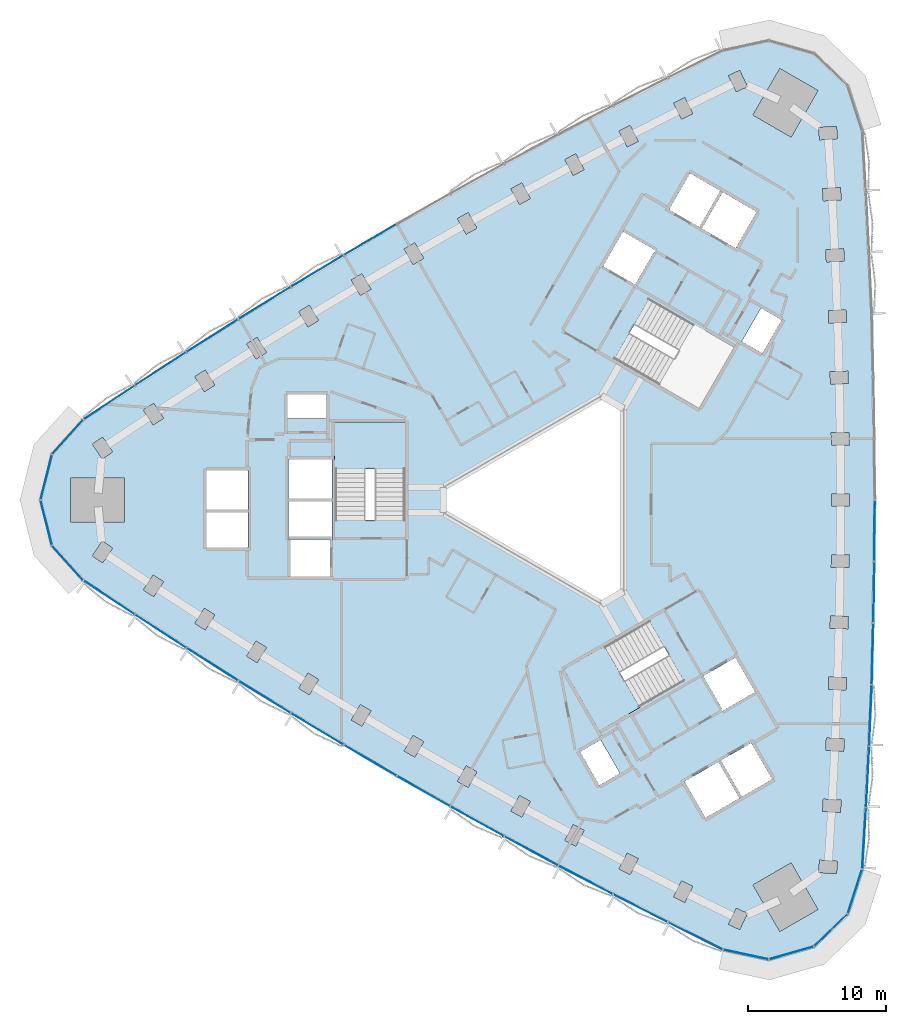
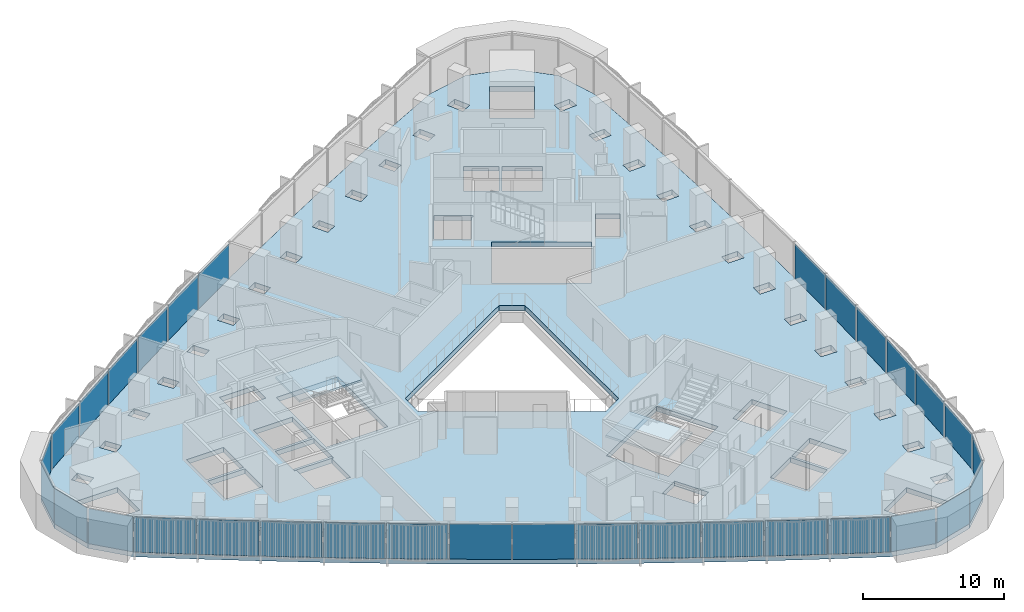
# One storey, part 6 of 15: 32 plates, 3 slabs, 5 elements without a shape of their own.
"""IFC4 building model written with IfcOpenShell, lengths in metres."""

from ifc_helpers import new_model, si_unit, direction, frame, origin, origin_2d, place, context, subcontext, project, spatial, polyline, rectangle, outline, extrude, material, layer, layer_set, type_object, element, aggregate, save


model = new_model("IFC4")

# Units and contexts
model_context = context("Model", 3, precision=1e-05, world=origin(), true_north=direction((0.0, 1.0)))
body_context = subcontext(model_context, "Body", "Model", "MODEL_VIEW")
ifc_project = project(units=[si_unit("LENGTHUNIT", "METRE"), si_unit("AREAUNIT", "SQUARE_METRE"), si_unit("VOLUMEUNIT", "CUBIC_METRE"), si_unit("PLANEANGLEUNIT", "RADIAN"), si_unit("MASSUNIT", "GRAM", prefix="KILO")], contexts=[model_context])

# Site, building, storey
site_placement = place(None, origin())
site = spatial("IfcSite", under=ifc_project, at=site_placement, CompositionType="ELEMENT")
building_placement = place(site_placement, origin())
building = spatial("IfcBuilding", under=site, at=building_placement, Name="Tamra Quay Hotel Tower", CompositionType="ELEMENT")
storey_placement = place(building_placement, frame((0.0, 0.0, 108.199951171875)))
storey = spatial("IfcBuildingStorey", under=building, at=storey_placement, Name="L26", CompositionType="ELEMENT", Elevation=108.199951171875)

# Stair, slab
ifc_material_1 = material(Name="Exit stair 2200 24 risers 150.0 going 342")
stair_type = type_object("IfcStairType", Name="Exit stair 2200 24 risers 150.0 going 342", PredefinedType="HALF_TURN_STAIR", material=ifc_material_1)
stair_1_placement = place(storey_placement, origin())
stair_1 = element("IfcStair", 1, at=stair_1_placement, inside=storey, type_object=stair_type, Name="L26 Exit stair ST3", PredefinedType="HALF_TURN_STAIR")
ifc_material_2 = material(Name="Concrete M70", Category="concrete")
ifc_layer_1 = layer(ifc_material_2, 0.175048828125)
ifc_layer_set_1 = layer_set([ifc_layer_1], Name="Concrete M70 stair landing 180")
slab_type_1 = type_object("IfcSlabType", Name="Concrete M70 stair landing 180", PredefinedType="LANDING", material=ifc_layer_set_1)
slab_1_placement = place(storey_placement, frame((0.0, 0.0, 1.625)))
slab_1 = element("IfcSlab", 2, at=slab_1_placement, type_object=slab_type_1, Name="ST3 landing 1", PredefinedType="LANDING", context=body_context, shape_type="SweptSolid", body=[
    extrude(outline(polyline([(-10.932373046875, 2.261962890625), (-10.932373046875, 5.679931640625), (-16.09130859375, 5.679931640625), (-16.09130859375, 2.261962890625), (-10.932373046875, 2.261962890625)])), origin(), (0.0, 0.0, 1.0), 0.175048828125),
])
aggregate(stair_1, [slab_1])

stair_2_placement = place(storey_placement, origin())
stair_2 = element("IfcStair", 3, at=stair_2_placement, inside=storey, type_object=stair_type, Name="L26 Exit stair ST2", PredefinedType="HALF_TURN_STAIR")
slab_2_placement = place(storey_placement, frame((0.0, 0.0, 1.625)))
slab_2 = element("IfcSlab", 4, at=slab_2_placement, type_object=slab_type_1, Name="ST2 landing 1", PredefinedType="LANDING", context=body_context, shape_type="SweptSolid", body=[
    extrude(outline(polyline([(3.50732421875, -10.5986328125), (0.547119140625, -12.3076171875), (3.126708984375, -16.775390625), (6.086669921875, -15.06640625), (3.50732421875, -10.5986328125)])), origin(), (0.0, 0.0, 1.0), 0.175048828125),
])
aggregate(stair_2, [slab_2])

# Slab
ifc_material_3 = material(Name="Concrete M60", Category="concrete")
ifc_layer_2 = layer(ifc_material_3, 0.425048828125)
ifc_layer_set_2 = layer_set([ifc_layer_2], Name="FLOOR SLAB PT 425")
slab_type_2 = type_object("IfcSlabType", Name="FLOOR SLAB PT 425", PredefinedType="FLOOR", material=ifc_layer_set_2)
slab_3_placement = place(storey_placement, frame((0.0, 0.0, -0.425048828125)))
element("IfcSlab", 5, at=slab_3_placement, inside=storey, type_object=slab_type_2, Name="SLAB-L26", PredefinedType="FLOOR", context=body_context, shape_type="SweptSolid", body=[
    extrude(outline(polyline([(22.506591796875, 22.354248046875), (22.736083984375, 17.886962890625), (22.914794921875, 13.417236328125), (23.04248046875, 8.94580078125), (23.119140625, 4.47314453125), (23.144775390625, 0.0), (23.119140625, -4.47314453125), (23.04248046875, -8.94580078125), (22.914794921875, -13.417236328125), (22.736083984375, -17.886962890625), (22.506591796875, -22.354248046875), (22.226318359375, -26.81787109375), (21.1767578125, -30.062255859375), (18.724609375, -32.43212890625), (15.4462890625, -33.370849609375), (12.11181640625, -32.657470703125), (8.10595703125, -30.66845703125), (4.122314453125, -28.633544921875), (0.162109375, -26.553466796875), (-3.77392578125, -24.42822265625), (-7.685791015625, -22.25830078125), (-11.572509765625, -20.0439453125), (-15.43359375, -17.78515625), (-19.2685546875, -15.482666015625), (-23.0771484375, -13.13623046875), (-26.858642578125, -10.74658203125), (-30.612548828125, -8.314208984375), (-34.337890625, -5.839599609375), (-36.623046875, -3.308349609375), (-37.449462890625, 0.0), (-36.623046875, 3.308349609375), (-34.337890625, 5.839599609375), (-30.612548828125, 8.314208984375), (-26.858642578125, 10.74658203125), (-23.0771484375, 13.13623046875), (-19.2685546875, 15.482666015625), (-15.43359375, 17.78515625), (-11.572509765625, 20.0439453125), (-7.685791015625, 22.25830078125), (-3.77392578125, 24.42822265625), (0.162109375, 26.553466796875), (4.122314453125, 28.633544921875), (8.10595703125, 30.66845703125), (12.11181640625, 32.657470703125), (15.4462890625, 33.370849609375), (18.724609375, 32.43212890625), (21.1767578125, 30.062255859375), (22.226318359375, 26.81787109375), (22.506591796875, 22.354248046875)]), holes=[polyline([(-14.884521484375, -15.9765625), (-14.1103515625, -16.435302734375), (-13.447509765625, -15.317138671875), (-14.2216796875, -14.858154296875), (-14.884521484375, -15.9765625)]), polyline([(-18.0234375, -12.569580078125), (-18.698974609375, -13.680419921875), (-17.929931640625, -14.14794921875), (-17.25439453125, -13.037353515625), (-18.0234375, -12.569580078125)]), polyline([(-21.798583984375, -10.23779296875), (-22.487060546875, -11.340576171875), (-21.723388671875, -11.817138671875), (-21.03515625, -10.714111328125), (-21.798583984375, -10.23779296875)]), polyline([(-25.547119140625, -7.86279296875), (-26.248046875, -8.9580078125), (-25.489990234375, -9.443115234375), (-24.789306640625, -8.34814453125), (-25.547119140625, -7.86279296875)]), polyline([(-29.268310546875, -5.445556640625), (-29.981689453125, -6.532470703125), (-29.229248046875, -7.026123046875), (-28.51611328125, -5.939453125), (-29.268310546875, -5.445556640625)]), polyline([(-16.3173828125, -2.85498046875), (-19.4072265625, -2.85498046875), (-19.4072265625, -2.89306640625), (-19.307373046875, -2.89306640625), (-19.307373046875, -5.544921875), (-16.417236328125, -5.544921875), (-16.417236328125, -2.89306640625), (-16.3173828125, -2.89306640625), (-16.3173828125, -2.85498046875)]), polyline([(-32.96240234375, -2.986083984375), (-33.6875, -4.06494140625), (-32.9404296875, -4.56689453125), (-32.215576171875, -3.488037109375), (-32.96240234375, -2.986083984375)]), polyline([(-22.3671875, -3.445068359375), (-22.3671875, -0.905029296875), (-25.4072265625, -0.905029296875), (-25.4072265625, -3.445068359375), (-22.3671875, -3.445068359375)]), polyline([(-19.417236328125, -2.89306640625), (-19.417236328125, -2.64501953125), (-16.307373046875, -2.64501953125), (-16.307373046875, -2.89306640625), (-16.26708984375, -2.89306640625), (-16.26708984375, -0.10498046875), (-19.45751953125, -0.10498046875), (-19.45751953125, -2.89306640625), (-19.417236328125, -2.89306640625)]), polyline([(-31.36376953125, 1.60009765625), (-35.263671875, 1.60009765625), (-35.263671875, -1.60009765625), (-31.36376953125, -1.60009765625), (-31.36376953125, 1.60009765625)]), polyline([(-25.4072265625, -0.695068359375), (-22.3671875, -0.695068359375), (-22.3671875, 2.14501953125), (-25.4072265625, 2.14501953125), (-25.4072265625, -0.695068359375)]), polyline([(-19.45751953125, 0.10498046875), (-16.26708984375, 0.10498046875), (-16.26708984375, 2.945068359375), (-19.45751953125, 2.945068359375), (-19.45751953125, 0.10498046875)]), polyline([(-16.036376953125, -1.455078125), (-10.9873046875, -1.455078125), (-10.9873046875, 5.625), (-16.036376953125, 5.625), (-16.036376953125, -1.455078125)]), polyline([(-32.215576171875, 3.488037109375), (-32.9404296875, 4.56689453125), (-33.6875, 4.06494140625), (-32.96240234375, 2.986083984375), (-32.215576171875, 3.488037109375)]), polyline([(-28.51611328125, 5.939453125), (-29.229248046875, 7.026123046875), (-29.981689453125, 6.532470703125), (-29.268310546875, 5.445556640625), (-28.51611328125, 5.939453125)]), polyline([(-19.50732421875, 7.64501953125), (-19.50732421875, 5.9150390625), (-16.71728515625, 5.9150390625), (-16.71728515625, 7.64501953125), (-19.50732421875, 7.64501953125)]), polyline([(-24.789306640625, 8.34814453125), (-25.489990234375, 9.443115234375), (-26.248046875, 8.9580078125), (-25.547119140625, 7.86279296875), (-24.789306640625, 8.34814453125)]), polyline([(-21.03515625, 10.714111328125), (-21.723388671875, 11.817138671875), (-22.487060546875, 11.340576171875), (-21.798583984375, 10.23779296875), (-21.03515625, 10.714111328125)]), polyline([(-17.25439453125, 13.037353515625), (-17.929931640625, 14.14794921875), (-18.698974609375, 13.680419921875), (-18.0234375, 12.569580078125), (-17.25439453125, 13.037353515625)]), polyline([(-13.447509765625, 15.317138671875), (-14.1103515625, 16.435302734375), (-14.884521484375, 15.9765625), (-14.2216796875, 14.858154296875), (-13.447509765625, 15.317138671875)]), polyline([(9.1142578125, -27.665283203125), (8.52978515625, -28.826416015625), (9.33349609375, -29.231201171875), (9.918212890625, -28.070068359375), (9.1142578125, -27.665283203125)]), polyline([(5.164794921875, -25.64208984375), (4.567138671875, -26.79638671875), (5.3662109375, -27.210205078125), (5.964111328125, -26.055908203125), (5.164794921875, -25.64208984375)]), polyline([(1.23876953125, -23.57421875), (0.627685546875, -24.721435546875), (1.422119140625, -25.14453125), (2.033203125, -23.9970703125), (1.23876953125, -23.57421875)]), polyline([(-2.663330078125, -21.46142578125), (-3.28759765625, -22.601806640625), (-2.498046875, -23.033935546875), (-1.873779296875, -21.8935546875), (-2.663330078125, -21.46142578125)]), polyline([(13.3056640625, -21.65576171875), (11.78564453125, -19.02294921875), (9.325927734375, -20.443115234375), (10.845947265625, -23.075927734375), (13.3056640625, -21.65576171875)]), polyline([(-6.541259765625, -19.304443359375), (-7.17822265625, -20.437744140625), (-6.393798828125, -20.878662109375), (-5.756591796875, -19.74560546875), (-6.541259765625, -19.304443359375)]), polyline([(1.73779296875, -18.300048828125), (3.1328125, -20.71630859375), (4.631103515625, -19.851318359375), (3.236083984375, -17.43505859375), (1.73779296875, -18.300048828125)]), polyline([(-10.394287109375, -17.103271484375), (-11.044189453125, -18.22900390625), (-10.264892578125, -18.67919921875), (-9.61474609375, -17.55322265625), (-10.394287109375, -17.103271484375)]), polyline([(10.68115234375, -12.790283203125), (12.05615234375, -15.171875), (11.969482421875, -15.2216796875), (12.03955078125, -15.343017578125), (14.455810546875, -13.947998046875), (13.0107421875, -11.4453125), (10.68115234375, -12.790283203125)]), polyline([(9.2783203125, -13.160400390625), (6.75390625, -8.78759765625), (0.622314453125, -12.32763671875), (3.146728515625, -16.7001953125), (9.2783203125, -13.160400390625)]), polyline([(-8.199951171875, 0.923828125), (-8.199951171875, -0.923828125), (3.300048828125, -7.563232421875), (4.89990234375, -6.639404296875), (4.89990234375, 6.639404296875), (3.300048828125, 7.563232421875), (-8.199951171875, 0.923828125)]), polyline([(6.758056640625, 14.615478515625), (4.2333984375, 10.242919921875), (10.364990234375, 6.702880859375), (12.889404296875, 11.075439453125), (6.758056640625, 14.615478515625)]), polyline([(5.736083984375, 15.645263671875), (7.111083984375, 18.02685546875), (7.19775390625, 17.976806640625), (7.267578125, 18.09814453125), (4.8515625, 19.4931640625), (3.406494140625, 16.990234375), (5.736083984375, 15.645263671875)]), polyline([(-9.61474609375, 17.55322265625), (-10.264892578125, 18.67919921875), (-11.044189453125, 18.22900390625), (-10.394287109375, 17.103271484375), (-9.61474609375, 17.55322265625)]), polyline([(-5.756591796875, 19.74560546875), (-6.393798828125, 20.878662109375), (-7.17822265625, 20.437744140625), (-6.541259765625, 19.304443359375), (-5.756591796875, 19.74560546875)]), polyline([(8.2001953125, 21.093017578125), (10.39990234375, 19.822998046875), (11.919921875, 22.455810546875), (9.72021484375, 23.725830078125), (8.2001953125, 21.093017578125)]), polyline([(-1.873779296875, 21.8935546875), (-2.498046875, 23.033935546875), (-3.28759765625, 22.601806640625), (-2.663330078125, 21.46142578125), (-1.873779296875, 21.8935546875)]), polyline([(2.033203125, 23.9970703125), (1.422119140625, 25.14453125), (0.627685546875, 24.721435546875), (1.23876953125, 23.57421875), (2.033203125, 23.9970703125)]), polyline([(5.964111328125, 26.055908203125), (5.3662109375, 27.210205078125), (4.567138671875, 26.79638671875), (5.164794921875, 25.64208984375), (5.964111328125, 26.055908203125)]), polyline([(9.918212890625, 28.070068359375), (9.33349609375, 29.231201171875), (8.52978515625, 28.826416015625), (9.1142578125, 27.665283203125), (9.918212890625, 28.070068359375)]), polyline([(13.0869140625, -29.643310546875), (12.51513671875, -30.810791015625), (13.323486328125, -31.206787109375), (13.895263671875, -30.039306640625), (13.0869140625, -29.643310546875)]), polyline([(14.296142578125, -27.9619140625), (16.24609375, -31.339111328125), (19.017333984375, -29.7392578125), (17.0673828125, -26.36181640625), (14.296142578125, -27.9619140625)]), polyline([(19.067138671875, -27.05322265625), (20.3642578125, -27.141845703125), (20.42529296875, -26.243896484375), (19.12841796875, -26.155517578125), (19.067138671875, -27.05322265625)]), polyline([(19.350341796875, -22.624267578125), (20.648193359375, -22.698486328125), (20.699462890625, -21.800048828125), (19.401611328125, -21.725830078125), (19.350341796875, -22.624267578125)]), polyline([(14.1669921875, -17.648193359375), (11.96728515625, -18.91796875), (13.487548828125, -21.55078125), (15.68701171875, -20.281005859375), (14.1669921875, -17.648193359375)]), polyline([(20.8818359375, -18.25244140625), (20.9228515625, -17.353515625), (19.624267578125, -17.2939453125), (19.5830078125, -18.193115234375), (20.8818359375, -18.25244140625)]), polyline([(19.765380859375, -13.75927734375), (21.064697265625, -13.803955078125), (21.095703125, -12.904541015625), (19.79638671875, -12.85986328125), (19.765380859375, -13.75927734375)]), polyline([(19.897216796875, -9.323974609375), (21.197021484375, -9.353759765625), (21.217529296875, -8.453857421875), (19.91796875, -8.424072265625), (19.897216796875, -9.323974609375)]), polyline([(19.978515625, -4.88720703125), (21.2783203125, -4.902099609375), (21.288818359375, -4.002197265625), (19.98876953125, -3.9873046875), (19.978515625, -4.88720703125)]), polyline([(20.009033203125, -0.449951171875), (21.30908203125, -0.449951171875), (21.30908203125, 0.449951171875), (20.009033203125, 0.449951171875), (20.009033203125, -0.449951171875)]), polyline([(19.98876953125, 3.9873046875), (21.288818359375, 4.002197265625), (21.2783203125, 4.902099609375), (19.978515625, 4.88720703125), (19.98876953125, 3.9873046875)]), polyline([(19.91796875, 8.424072265625), (21.217529296875, 8.453857421875), (21.197021484375, 9.353759765625), (19.897216796875, 9.323974609375), (19.91796875, 8.424072265625)]), polyline([(14.9794921875, 10.655029296875), (16.37451171875, 13.0712890625), (14.876220703125, 13.936279296875), (13.481201171875, 11.52001953125), (14.9794921875, 10.655029296875)]), polyline([(19.79638671875, 12.85986328125), (21.095703125, 12.904541015625), (21.064697265625, 13.803955078125), (19.765380859375, 13.75927734375), (19.79638671875, 12.85986328125)]), polyline([(19.624267578125, 17.2939453125), (20.9228515625, 17.353515625), (20.8818359375, 18.25244140625), (19.5830078125, 18.193115234375), (19.624267578125, 17.2939453125)]), polyline([(12.101806640625, 22.350830078125), (10.58154296875, 19.718017578125), (13.041259765625, 18.298095703125), (14.561279296875, 20.930908203125), (12.101806640625, 22.350830078125)]), polyline([(19.401611328125, 21.725830078125), (20.699462890625, 21.800048828125), (20.648193359375, 22.698486328125), (19.350341796875, 22.624267578125), (19.401611328125, 21.725830078125)]), polyline([(19.12841796875, 26.155517578125), (20.42529296875, 26.243896484375), (20.3642578125, 27.141845703125), (19.067138671875, 27.05322265625), (19.12841796875, 26.155517578125)]), polyline([(17.0673828125, 26.36181640625), (19.017333984375, 29.7392578125), (16.24609375, 31.339111328125), (14.296142578125, 27.9619140625), (17.0673828125, 26.36181640625)]), polyline([(13.895263671875, 30.039306640625), (13.323486328125, 31.206787109375), (12.51513671875, 30.810791015625), (13.0869140625, 29.643310546875), (13.895263671875, 30.039306640625)])]), origin(), (0.0, 0.0, 1.0), 0.425048828125),
])

# Curtain wall, plates
ifc_material_4 = material(Name="Aluminium 6063 anodised dark grey", Category="aluminium")
curtain_wall_type_1 = type_object("IfcCurtainWallType", Name="CW1 CURTAIN WALL", PredefinedType="NOTDEFINED", material=ifc_material_4)
curtain_wall_1_placement = place(storey_placement, origin())
curtain_wall_1 = element("IfcCurtainWall", 6, at=curtain_wall_1_placement, inside=storey, type_object=curtain_wall_type_1, Name="CW1 east face L26", PredefinedType="NOTDEFINED")
ifc_material_5 = material(Name="Glass clear laminated low-iron", Category="glass")
ifc_layer_3 = layer(ifc_material_5, 0.033935546875)
ifc_layer_set_3 = layer_set([ifc_layer_3], Name="GLASS PANEL CW1 Z2")
plate_type_1 = type_object("IfcPlateType", Name="GLASS PANEL CW1 Z2", PredefinedType="CURTAIN_PANEL", material=ifc_layer_set_3)
plate_1_placement = place(storey_placement, frame((22.366455078125, -24.5859375, 0.0), z_axis=(0.0, 0.0, 1.0), x_axis=(0.062669917068, 0.998034308776, 0.0)))
plate_1 = element("IfcPlate", 7, at=plate_1_placement, type_object=plate_type_1, Name="CW1 glass L26.E.1", PredefinedType="CURTAIN_PANEL", context=body_context, shape_type="SweptSolid", body=[
    extrude(rectangle(XDim=4.372314453125, YDim=0.033935546875, at=origin_2d()), origin(), (0.0, 0.0, 1.0), 3.034912109375),
])
plate_2_placement = place(storey_placement, frame((22.621337890625, -20.12060546875, 0.0), z_axis=(0.0, 0.0, 1.0), x_axis=(0.051320736558, 0.998682222731, 0.0)))
plate_2 = element("IfcPlate", 8, at=plate_2_placement, type_object=plate_type_1, Name="CW1 glass L26.E.2", PredefinedType="CURTAIN_PANEL", context=body_context, shape_type="SweptSolid", body=[
    extrude(rectangle(XDim=4.373291015625, YDim=0.033935546875, at=origin_2d()), origin(), (0.0, 0.0, 1.0), 3.034912109375),
])
plate_3_placement = place(storey_placement, frame((22.825439453125, -15.652099609375, 0.0), z_axis=(0.0, 0.0, 1.0), x_axis=(0.039943885581, 0.99920192454, 0.0)))
plate_3 = element("IfcPlate", 9, at=plate_3_placement, type_object=plate_type_1, Name="CW1 glass L26.E.3", PredefinedType="CURTAIN_PANEL", context=body_context, shape_type="SweptSolid", body=[
    extrude(rectangle(XDim=4.373291015625, YDim=0.033935546875, at=origin_2d()), origin(), (0.0, 0.0, 1.0), 3.034912109375),
])
plate_4_placement = place(storey_placement, frame((22.978759765625, -11.181396484375, 0.0), z_axis=(0.0, 0.0, 1.0), x_axis=(0.028546324212, 0.999592470647, 0.0)))
plate_4 = element("IfcPlate", 10, at=plate_4_placement, type_object=plate_type_1, Name="CW1 glass L26.E.4", PredefinedType="CURTAIN_PANEL", context=body_context, shape_type="SweptSolid", body=[
    extrude(rectangle(XDim=4.373291015625, YDim=0.033935546875, at=origin_2d()), origin(), (0.0, 0.0, 1.0), 3.034912109375),
])
plate_5_placement = place(storey_placement, frame((23.080810546875, -6.70947265625, 0.0), z_axis=(0.0, 0.0, 1.0), x_axis=(0.017133948461, 0.99985320313, 0.0)))
plate_5 = element("IfcPlate", 11, at=plate_5_placement, type_object=plate_type_1, Name="CW1 glass L26.E.5", PredefinedType="CURTAIN_PANEL", context=body_context, shape_type="SweptSolid", body=[
    extrude(rectangle(XDim=4.373291015625, YDim=0.033935546875, at=origin_2d()), origin(), (0.0, 0.0, 1.0), 3.034912109375),
])
plate_6_placement = place(storey_placement, frame((23.132080078125, -2.236572265625, 0.0), z_axis=(0.0, 0.0, 1.0), x_axis=(0.00571269185, 0.999983682443, 0.0)))
plate_6 = element("IfcPlate", 12, at=plate_6_placement, type_object=plate_type_1, Name="CW1 glass L26.E.6", PredefinedType="CURTAIN_PANEL", context=body_context, shape_type="SweptSolid", body=[
    extrude(rectangle(XDim=4.373291015625, YDim=0.033935546875, at=origin_2d()), origin(), (0.0, 0.0, 1.0), 3.034912109375),
])
aggregate(curtain_wall_1, [plate_1, plate_2, plate_3, plate_4, plate_5, plate_6])

curtain_wall_type_2 = type_object("IfcCurtainWallType", Name="CW2 CURTAIN WALL", PredefinedType="NOTDEFINED", material=ifc_material_4)
curtain_wall_2_placement = place(storey_placement, origin())
curtain_wall_2 = element("IfcCurtainWall", 13, at=curtain_wall_2_placement, inside=storey, type_object=curtain_wall_type_2, Name="CW2 north-west face L26", PredefinedType="NOTDEFINED")
ifc_layer_4 = layer(ifc_material_5, 0.033935546875)
ifc_layer_set_4 = layer_set([ifc_layer_4], Name="GLASS PANEL CW2 Z2")
plate_type_2 = type_object("IfcPlateType", Name="GLASS PANEL CW2 Z2", PredefinedType="CURTAIN_PANEL", material=ifc_layer_set_4)
plate_7_placement = place(storey_placement, frame((-13.5029296875, 18.91455078125, 0.0), z_axis=(0.0, 0.0, 1.0), x_axis=(-0.86315492644, -0.504939177488, 0.0)))
plate_7 = element("IfcPlate", 14, at=plate_7_placement, type_object=plate_type_2, Name="CW2 glass L26.NW.7", PredefinedType="CURTAIN_PANEL", context=body_context, shape_type="SweptSolid", body=[
    extrude(rectangle(XDim=4.373291015625, YDim=0.033935546875, at=origin_2d()), origin(), (0.0, 0.0, 1.0), 3.034912109375),
])
plate_8_placement = place(storey_placement, frame((-17.35107421875, 16.6337890625, 0.0), z_axis=(0.0, 0.0, 1.0), x_axis=(-0.857331299736, -0.5147650362, 0.0)))
plate_8 = element("IfcPlate", 15, at=plate_8_placement, type_object=plate_type_2, Name="CW2 glass L26.NW.8", PredefinedType="CURTAIN_PANEL", context=body_context, shape_type="SweptSolid", body=[
    extrude(rectangle(XDim=4.373291015625, YDim=0.033935546875, at=origin_2d()), origin(), (0.0, 0.0, 1.0), 3.034912109375),
])
plate_9_placement = place(storey_placement, frame((-21.1728515625, 14.309326171875, 0.0), z_axis=(0.0, 0.0, 1.0), x_axis=(-0.851399310906, -0.524518077276, 0.0)))
plate_9 = element("IfcPlate", 16, at=plate_9_placement, type_object=plate_type_2, Name="CW2 glass L26.NW.9", PredefinedType="CURTAIN_PANEL", context=body_context, shape_type="SweptSolid", body=[
    extrude(rectangle(XDim=4.373291015625, YDim=0.033935546875, at=origin_2d()), origin(), (0.0, 0.0, 1.0), 3.034912109375),
])
plate_10_placement = place(storey_placement, frame((-24.9677734375, 11.94140625, 0.0), z_axis=(0.0, 0.0, 1.0), x_axis=(-0.845362307372, -0.534193381909, 0.0)))
plate_10 = element("IfcPlate", 17, at=plate_10_placement, type_object=plate_type_2, Name="CW2 glass L26.NW.10", PredefinedType="CURTAIN_PANEL", context=body_context, shape_type="SweptSolid", body=[
    extrude(rectangle(XDim=4.373291015625, YDim=0.033935546875, at=origin_2d()), origin(), (0.0, 0.0, 1.0), 3.034912109375),
])
plate_11_placement = place(storey_placement, frame((-28.735595703125, 9.530517578125, 0.0), z_axis=(0.0, 0.0, 1.0), x_axis=(-0.839223806914, -0.543786172966, 0.0)))
plate_11 = element("IfcPlate", 18, at=plate_11_placement, type_object=plate_type_2, Name="CW2 glass L26.NW.11", PredefinedType="CURTAIN_PANEL", context=body_context, shape_type="SweptSolid", body=[
    extrude(rectangle(XDim=4.373291015625, YDim=0.033935546875, at=origin_2d()), origin(), (0.0, 0.0, 1.0), 3.034912109375),
])
plate_12_placement = place(storey_placement, frame((-32.475341796875, 7.076904296875, 0.0), z_axis=(0.0, 0.0, 1.0), x_axis=(-0.832988106715, -0.553290894622, 0.0)))
plate_12 = element("IfcPlate", 19, at=plate_12_placement, type_object=plate_type_2, Name="CW2 glass L26.NW.12", PredefinedType="CURTAIN_PANEL", context=body_context, shape_type="SweptSolid", body=[
    extrude(rectangle(XDim=4.372314453125, YDim=0.033935546875, at=origin_2d()), origin(), (0.0, 0.0, 1.0), 3.034912109375),
])
plate_13_placement = place(storey_placement, frame((-35.48046875, 4.573974609375, 0.0), z_axis=(0.0, 0.0, 1.0), x_axis=(-0.670087934649, -0.742281725383, 0.0)))
plate_13 = element("IfcPlate", 20, at=plate_13_placement, type_object=plate_type_2, Name="CW2 glass L26.NW.13", PredefinedType="CURTAIN_PANEL", context=body_context, shape_type="SweptSolid", body=[
    extrude(rectangle(XDim=3.31005859375, YDim=0.033935546875, at=origin_2d()), origin(), (0.0, 0.0, 1.0), 3.034912109375),
])
plate_14_placement = place(storey_placement, frame((-37.036376953125, 1.654296875, 0.0), z_axis=(0.0, 0.0, 1.0), x_axis=(-0.242338764242, -0.970191694123, 0.0)))
plate_14 = element("IfcPlate", 21, at=plate_14_placement, type_object=plate_type_2, Name="CW2 glass L26.NW.14", PredefinedType="CURTAIN_PANEL", context=body_context, shape_type="SweptSolid", body=[
    extrude(rectangle(XDim=3.31005859375, YDim=0.033935546875, at=origin_2d()), origin(), (0.0, 0.0, 1.0), 3.034912109375),
])
plate_15_placement = place(storey_placement, frame((-37.036376953125, -1.654296875, 0.0), z_axis=(0.0, 0.0, 1.0), x_axis=(0.242338764242, -0.970191694123, 0.0)))
plate_15 = element("IfcPlate", 22, at=plate_15_placement, type_object=plate_type_2, Name="CW2 glass L26.NW.15", PredefinedType="CURTAIN_PANEL", context=body_context, shape_type="SweptSolid", body=[
    extrude(rectangle(XDim=3.31005859375, YDim=0.033935546875, at=origin_2d()), origin(), (0.0, 0.0, 1.0), 3.034912109375),
])
plate_16_placement = place(storey_placement, frame((-35.48046875, -4.573974609375, 0.0), z_axis=(0.0, 0.0, 1.0), x_axis=(0.670087934649, -0.742281725383, 0.0)))
plate_16 = element("IfcPlate", 23, at=plate_16_placement, type_object=plate_type_2, Name="CW2 glass L26.NW.16", PredefinedType="CURTAIN_PANEL", context=body_context, shape_type="SweptSolid", body=[
    extrude(rectangle(XDim=3.31005859375, YDim=0.033935546875, at=origin_2d()), origin(), (0.0, 0.0, 1.0), 3.034912109375),
])
aggregate(curtain_wall_2, [plate_7, plate_8, plate_9, plate_10, plate_11, plate_12, plate_13, plate_14, plate_15, plate_16])

curtain_wall_type_3 = type_object("IfcCurtainWallType", Name="CW3 CURTAIN WALL", PredefinedType="NOTDEFINED", material=ifc_material_4)
curtain_wall_3_placement = place(storey_placement, origin())
curtain_wall_3 = element("IfcCurtainWall", 24, at=curtain_wall_3_placement, inside=storey, type_object=curtain_wall_type_3, Name="CW3 south-west face L26", PredefinedType="NOTDEFINED")
ifc_layer_5 = layer(ifc_material_5, 0.033935546875)
ifc_layer_set_5 = layer_set([ifc_layer_5], Name="GLASS PANEL CW3 Z2")
plate_type_3 = type_object("IfcPlateType", Name="GLASS PANEL CW3 Z2", PredefinedType="CURTAIN_PANEL", material=ifc_layer_set_5)
plate_17_placement = place(storey_placement, frame((-32.475341796875, -7.076904296875, 0.0), z_axis=(0.0, 0.0, 1.0), x_axis=(0.832988106715, -0.553290894622, 0.0)))
plate_17 = element("IfcPlate", 25, at=plate_17_placement, type_object=plate_type_3, Name="CW3 glass L26.SW.1", PredefinedType="CURTAIN_PANEL", context=body_context, shape_type="SweptSolid", body=[
    extrude(rectangle(XDim=4.372314453125, YDim=0.033935546875, at=origin_2d()), origin(), (0.0, 0.0, 1.0), 3.034912109375),
])
plate_18_placement = place(storey_placement, frame((-28.735595703125, -9.530517578125, 0.0), z_axis=(0.0, 0.0, 1.0), x_axis=(0.839223806914, -0.543786172966, 0.0)))
plate_18 = element("IfcPlate", 26, at=plate_18_placement, type_object=plate_type_3, Name="CW3 glass L26.SW.2", PredefinedType="CURTAIN_PANEL", context=body_context, shape_type="SweptSolid", body=[
    extrude(rectangle(XDim=4.373291015625, YDim=0.033935546875, at=origin_2d()), origin(), (0.0, 0.0, 1.0), 3.034912109375),
])
plate_19_placement = place(storey_placement, frame((-24.9677734375, -11.94140625, 0.0), z_axis=(0.0, 0.0, 1.0), x_axis=(0.845362307372, -0.534193381909, 0.0)))
plate_19 = element("IfcPlate", 27, at=plate_19_placement, type_object=plate_type_3, Name="CW3 glass L26.SW.3", PredefinedType="CURTAIN_PANEL", context=body_context, shape_type="SweptSolid", body=[
    extrude(rectangle(XDim=4.373291015625, YDim=0.033935546875, at=origin_2d()), origin(), (0.0, 0.0, 1.0), 3.034912109375),
])
plate_20_placement = place(storey_placement, frame((-21.1728515625, -14.309326171875, 0.0), z_axis=(0.0, 0.0, 1.0), x_axis=(0.851399310906, -0.524518077276, 0.0)))
plate_20 = element("IfcPlate", 28, at=plate_20_placement, type_object=plate_type_3, Name="CW3 glass L26.SW.4", PredefinedType="CURTAIN_PANEL", context=body_context, shape_type="SweptSolid", body=[
    extrude(rectangle(XDim=4.373291015625, YDim=0.033935546875, at=origin_2d()), origin(), (0.0, 0.0, 1.0), 3.034912109375),
])
plate_21_placement = place(storey_placement, frame((-17.35107421875, -16.6337890625, 0.0), z_axis=(0.0, 0.0, 1.0), x_axis=(0.857331299736, -0.5147650362, 0.0)))
plate_21 = element("IfcPlate", 29, at=plate_21_placement, type_object=plate_type_3, Name="CW3 glass L26.SW.5", PredefinedType="CURTAIN_PANEL", context=body_context, shape_type="SweptSolid", body=[
    extrude(rectangle(XDim=4.373291015625, YDim=0.033935546875, at=origin_2d()), origin(), (0.0, 0.0, 1.0), 3.034912109375),
])
plate_22_placement = place(storey_placement, frame((-13.5029296875, -18.91455078125, 0.0), z_axis=(0.0, 0.0, 1.0), x_axis=(0.86315492644, -0.504939177488, 0.0)))
plate_22 = element("IfcPlate", 30, at=plate_22_placement, type_object=plate_type_3, Name="CW3 glass L26.SW.6", PredefinedType="CURTAIN_PANEL", context=body_context, shape_type="SweptSolid", body=[
    extrude(rectangle(XDim=4.373291015625, YDim=0.033935546875, at=origin_2d()), origin(), (0.0, 0.0, 1.0), 3.034912109375),
])
plate_23_placement = place(storey_placement, frame((-9.629150390625, -21.151123046875, 0.0), z_axis=(0.0, 0.0, 1.0), x_axis=(0.86886761829, -0.495044504955, 0.0)))
plate_23 = element("IfcPlate", 31, at=plate_23_placement, type_object=plate_type_3, Name="CW3 glass L26.SW.7", PredefinedType="CURTAIN_PANEL", context=body_context, shape_type="SweptSolid", body=[
    extrude(rectangle(XDim=4.373291015625, YDim=0.033935546875, at=origin_2d()), origin(), (0.0, 0.0, 1.0), 3.034912109375),
])
plate_24_placement = place(storey_placement, frame((-5.729736328125, -23.34326171875, 0.0), z_axis=(0.0, 0.0, 1.0), x_axis=(0.874465248197, -0.485088166931, 0.0)))
plate_24 = element("IfcPlate", 32, at=plate_24_placement, type_object=plate_type_3, Name="CW3 glass L26.SW.8", PredefinedType="CURTAIN_PANEL", context=body_context, shape_type="SweptSolid", body=[
    extrude(rectangle(XDim=4.373291015625, YDim=0.033935546875, at=origin_2d()), origin(), (0.0, 0.0, 1.0), 3.034912109375),
])
plate_25_placement = place(storey_placement, frame((-1.805908203125, -25.490966796875, 0.0), z_axis=(0.0, 0.0, 1.0), x_axis=(0.879945635118, -0.475074393371, 0.0)))
plate_25 = element("IfcPlate", 33, at=plate_25_placement, type_object=plate_type_3, Name="CW3 glass L26.SW.9", PredefinedType="CURTAIN_PANEL", context=body_context, shape_type="SweptSolid", body=[
    extrude(rectangle(XDim=4.373291015625, YDim=0.033935546875, at=origin_2d()), origin(), (0.0, 0.0, 1.0), 3.034912109375),
])
plate_26_placement = place(storey_placement, frame((2.142333984375, -27.593505859375, 0.0), z_axis=(0.0, 0.0, 1.0), x_axis=(0.885306192952, -0.465008542631, 0.0)))
plate_26 = element("IfcPlate", 34, at=plate_26_placement, type_object=plate_type_3, Name="CW3 glass L26.SW.10", PredefinedType="CURTAIN_PANEL", context=body_context, shape_type="SweptSolid", body=[
    extrude(rectangle(XDim=4.373291015625, YDim=0.033935546875, at=origin_2d()), origin(), (0.0, 0.0, 1.0), 3.034912109375),
])
plate_27_placement = place(storey_placement, frame((6.1142578125, -29.65087890625, 0.0), z_axis=(0.0, 0.0, 1.0), x_axis=(0.890544543472, -0.454896049765, 0.0)))
plate_27 = element("IfcPlate", 35, at=plate_27_placement, type_object=plate_type_3, Name="CW3 glass L26.SW.11", PredefinedType="CURTAIN_PANEL", context=body_context, shape_type="SweptSolid", body=[
    extrude(rectangle(XDim=4.373291015625, YDim=0.033935546875, at=origin_2d()), origin(), (0.0, 0.0, 1.0), 3.034912109375),
])
plate_28_placement = place(storey_placement, frame((10.10888671875, -31.662841796875, 0.0), z_axis=(0.0, 0.0, 1.0), x_axis=(0.895658023783, -0.444743414154, 0.0)))
plate_28 = element("IfcPlate", 36, at=plate_28_placement, type_object=plate_type_3, Name="CW3 glass L26.SW.12", PredefinedType="CURTAIN_PANEL", context=body_context, shape_type="SweptSolid", body=[
    extrude(rectangle(XDim=4.372314453125, YDim=0.033935546875, at=origin_2d()), origin(), (0.0, 0.0, 1.0), 3.034912109375),
])
plate_29_placement = place(storey_placement, frame((13.779052734375, -33.01416015625, 0.0), z_axis=(0.0, 0.0, 1.0), x_axis=(0.977878798271, -0.209172311484, 0.0)))
plate_29 = element("IfcPlate", 37, at=plate_29_placement, type_object=plate_type_3, Name="CW3 glass L26.SW.13", PredefinedType="CURTAIN_PANEL", context=body_context, shape_type="SweptSolid", body=[
    extrude(rectangle(XDim=3.31005859375, YDim=0.033935546875, at=origin_2d()), origin(), (0.0, 0.0, 1.0), 3.034912109375),
])
plate_30_placement = place(storey_placement, frame((17.08544921875, -32.9013671875, 0.0), z_axis=(0.0, 0.0, 1.0), x_axis=(0.961380035772, 0.275224320906, 0.0)))
plate_30 = element("IfcPlate", 38, at=plate_30_placement, type_object=plate_type_3, Name="CW3 glass L26.SW.14", PredefinedType="CURTAIN_PANEL", context=body_context, shape_type="SweptSolid", body=[
    extrude(rectangle(XDim=3.31005859375, YDim=0.033935546875, at=origin_2d()), origin(), (0.0, 0.0, 1.0), 3.034912109375),
])
plate_31_placement = place(storey_placement, frame((19.95068359375, -31.247314453125, 0.0), z_axis=(0.0, 0.0, 1.0), x_axis=(0.71904127153, 0.694967373217, 0.0)))
plate_31 = element("IfcPlate", 39, at=plate_31_placement, type_object=plate_type_3, Name="CW3 glass L26.SW.15", PredefinedType="CURTAIN_PANEL", context=body_context, shape_type="SweptSolid", body=[
    extrude(rectangle(XDim=3.31005859375, YDim=0.033935546875, at=origin_2d()), origin(), (0.0, 0.0, 1.0), 3.034912109375),
])
plate_32_placement = place(storey_placement, frame((21.70166015625, -28.43994140625, 0.0), z_axis=(0.0, 0.0, 1.0), x_axis=(0.307790863622, 0.951454036867, 0.0)))
plate_32 = element("IfcPlate", 40, at=plate_32_placement, type_object=plate_type_3, Name="CW3 glass L26.SW.16", PredefinedType="CURTAIN_PANEL", context=body_context, shape_type="SweptSolid", body=[
    extrude(rectangle(XDim=3.31005859375, YDim=0.033935546875, at=origin_2d()), origin(), (0.0, 0.0, 1.0), 3.034912109375),
])
aggregate(curtain_wall_3, [plate_17, plate_18, plate_19, plate_20, plate_21, plate_22, plate_23, plate_24, plate_25, plate_26, plate_27, plate_28, plate_29, plate_30, plate_31, plate_32])

save(model, "model.ifc")
